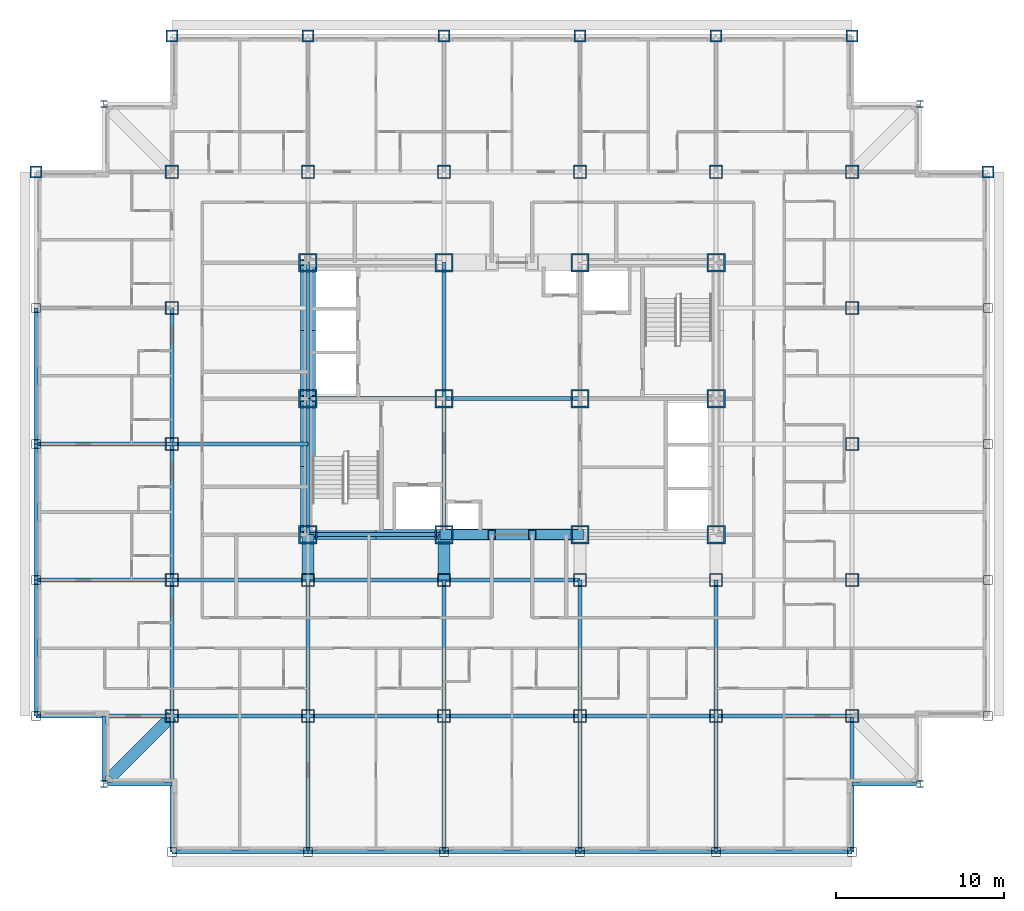
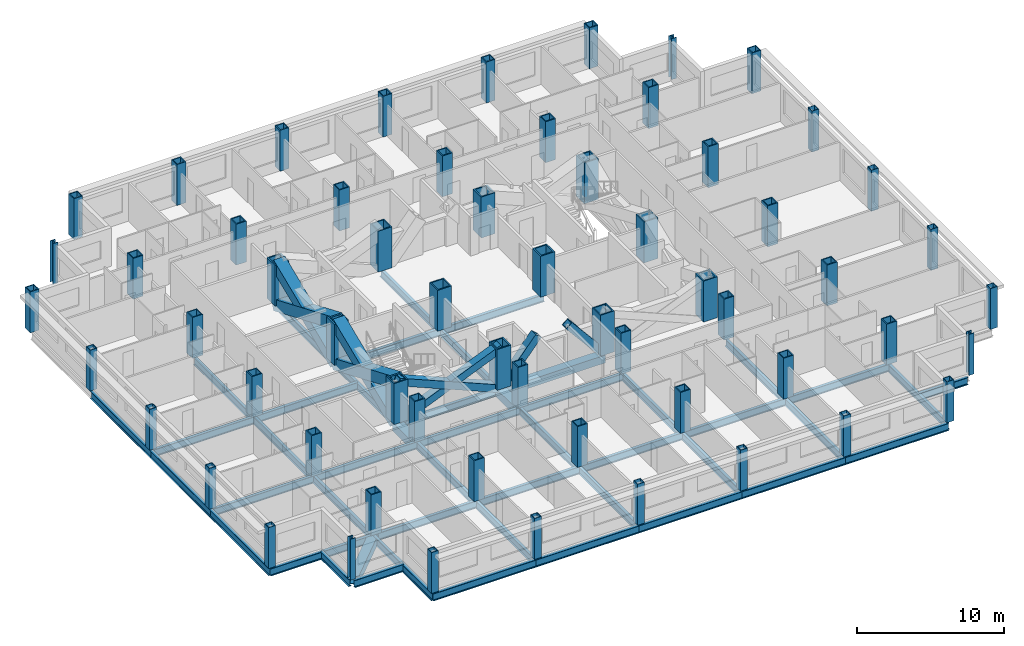
# One storey, part 1 of 13: 60 columns, 47 beams, 8 members.
"""IFC4 building model written with IfcOpenShell, lengths in metres."""

from ifc_helpers import new_model, si_unit, direction, frame, origin, origin_2d, place, context, subcontext, project, spatial, hollow_rectangle, i_section, extrude, material, material_profile, profile_set, type_object, element, save


model = new_model("IFC4")

# Units and contexts
model_context = context("Model", 3, precision=1e-05, world=origin(), true_north=direction((0.0, 1.0)))
body_context = subcontext(model_context, "Body", "Model", "MODEL_VIEW")
ifc_project = project(units=[si_unit("LENGTHUNIT", "METRE"), si_unit("AREAUNIT", "SQUARE_METRE"), si_unit("VOLUMEUNIT", "CUBIC_METRE"), si_unit("PLANEANGLEUNIT", "RADIAN"), si_unit("MASSUNIT", "GRAM", prefix="KILO")], contexts=[model_context])

# Site, building, storey
site_placement = place(None, origin())
site = spatial("IfcSite", under=ifc_project, at=site_placement, CompositionType="ELEMENT")
building_placement = place(site_placement, origin())
building = spatial("IfcBuilding", under=site, at=building_placement, Name="Kopane Lantern Tower", CompositionType="ELEMENT")
storey_placement = place(building_placement, frame((0.0, 0.0, 134.0)))
storey = spatial("IfcBuildingStorey", under=building, at=storey_placement, Name="L34", CompositionType="ELEMENT", Elevation=134.0)

# Columns
ifc_material_1 = material(Name="Steel S355JR", Category="steel")
ifc_material_profile_1 = material_profile(ifc_material_1, hollow_rectangle(XDim=1.10009765625, YDim=1.10009765625, WallThickness=0.10009765625, at=origin_2d()), Name="BOX 1100x1100x100")
ifc_profile_set_1 = profile_set([ifc_material_profile_1], Name="Steel S355JR")
column_type_1 = type_object("IfcColumnType", Name="COLUMN BOX 1100x1100x100", PredefinedType="COLUMN", material=ifc_profile_set_1)
for number, where, z_axis, x_axis, name in (
    (1, (16.199951171875, 24.300048828125, 0.0), (0.0, 0.0, 1.0), (1.0, 0.0, 0.0), "Column 4/E L34"),
    (2, (16.199951171875, 32.39990234375, 0.0), (0.0, 0.0, 1.0), (1.0, 0.0, 0.0), "Column 4/F L34"),
    (3, (16.199951171875, 40.5, 0.0), (0.0, 0.0, 1.0), (1.0, 0.0, 0.0), "Column 4/G L34"),
    (4, (24.300048828125, 24.300048828125, 0.0), (0.0, 0.0, 1.0), (1.0, 0.0, 0.0), "Column 5/E L34"),
    (5, (24.300048828125, 32.39990234375, 0.0), (0.0, 0.0, 1.0), (1.0, 0.0, 0.0), "Column 5/F L34"),
    (6, (24.300048828125, 40.5, 0.0), (0.0, 0.0, 1.0), (1.0, 0.0, 0.0), "Column 5/G L34"),
    (7, (32.39990234375, 24.300048828125, 0.0), (0.0, 0.0, 1.0), (1.0, 0.0, 0.0), "Column 6/E L34"),
    (8, (32.39990234375, 32.39990234375, 0.0), (0.0, 0.0, 1.0), (1.0, 0.0, 0.0), "Column 6/F L34"),
    (9, (32.39990234375, 40.5, 0.0), (0.0, 0.0, 1.0), (1.0, 0.0, 0.0), "Column 6/G L34"),
    (10, (40.5, 24.300048828125, 0.0), (0.0, 0.0, 1.0), (1.0, 0.0, 0.0), "Column 7/E L34"),
    (11, (40.5, 32.39990234375, 0.0), (0.0, 0.0, 1.0), (1.0, 0.0, 0.0), "Column 7/F L34"),
    (12, (40.5, 40.5, 0.0), (0.0, 0.0, 1.0), (1.0, 0.0, 0.0), "Column 7/G L34"),
):
    element("IfcColumn", number, at=place(storey_placement, frame(where, z_axis=z_axis, x_axis=x_axis)), inside=storey, type_object=column_type_1, Name=name, PredefinedType="COLUMN", context=body_context, shape_type="SweptSolid", body=[
        extrude(hollow_rectangle(XDim=1.10009765625, YDim=1.10009765625, WallThickness=0.10009765625, at=origin_2d()), origin(), (0.0, 0.0, 1.0), 3.39990234375),
    ])
ifc_material_2 = material(Name="Steel S355JR", Category="steel")
ifc_material_profile_2 = material_profile(ifc_material_2, hollow_rectangle(XDim=0.550048828125, YDim=0.550048828125, WallThickness=0.0400390625, at=origin_2d()), Name="BOX 550x550x40")
ifc_profile_set_2 = profile_set([ifc_material_profile_2], Name="Steel S355JR")
column_type_2 = type_object("IfcColumnType", Name="COLUMN BOX 550x550x40", PredefinedType="COLUMN", material=ifc_profile_set_2)
for number, where, z_axis, x_axis, name in (
    (13, (0.0, 13.5, 0.0), (0.0, 0.0, 1.0), (1.0, 0.0, 0.0), "Column 2/P2 L34"),
    (14, (0.0, 21.60009765625, 0.0), (0.0, 0.0, 1.0), (1.0, 0.0, 0.0), "Column 2/P3 L34"),
    (15, (0.0, 29.699951171875, 0.0), (0.0, 0.0, 1.0), (1.0, 0.0, 0.0), "Column 2/P4 L34"),
    (16, (0.0, 37.800048828125, 0.0), (0.0, 0.0, 1.0), (1.0, 0.0, 0.0), "Column 2/P5 L34"),
    (17, (8.10009765625, 5.39990234375, 0.0), (0.0, 0.0, 1.0), (1.0, 0.0, 0.0), "Column 3/P1 L34"),
    (18, (16.199951171875, 5.39990234375, 0.0), (0.0, 0.0, 1.0), (1.0, 0.0, 0.0), "Column 4/P1 L34"),
    (19, (24.300048828125, 5.39990234375, 0.0), (0.0, 0.0, 1.0), (1.0, 0.0, 0.0), "Column 5/P1 L34"),
    (20, (32.39990234375, 5.39990234375, 0.0), (0.0, 0.0, 1.0), (1.0, 0.0, 0.0), "Column 6/P1 L34"),
    (21, (40.5, 5.39990234375, 0.0), (0.0, 0.0, 1.0), (1.0, 0.0, 0.0), "Column 7/P1 L34"),
    (22, (48.60009765625, 5.39990234375, 0.0), (0.0, 0.0, 1.0), (1.0, 0.0, 0.0), "Column 8/P1 L34"),
    (23, (56.699951171875, 13.5, 0.0), (0.0, 0.0, 1.0), (1.0, 0.0, 0.0), "Column 9/P2 L34"),
    (24, (56.699951171875, 21.60009765625, 0.0), (0.0, 0.0, 1.0), (1.0, 0.0, 0.0), "Column 9/P3 L34"),
    (25, (56.699951171875, 29.699951171875, 0.0), (0.0, 0.0, 1.0), (1.0, 0.0, 0.0), "Column 9/P4 L34"),
    (26, (56.699951171875, 37.800048828125, 0.0), (0.0, 0.0, 1.0), (1.0, 0.0, 0.0), "Column 9/P5 L34"),
):
    element("IfcColumn", number, at=place(storey_placement, frame(where, z_axis=z_axis, x_axis=x_axis)), inside=storey, type_object=column_type_2, Name=name, PredefinedType="COLUMN", context=body_context, shape_type="SweptSolid", body=[
        extrude(hollow_rectangle(XDim=0.550048828125, YDim=0.550048828125, WallThickness=0.0400390625, at=origin_2d()), origin(), (0.0, 0.0, 1.0), 3.39990234375),
    ])
ifc_material_3 = material(Name="Steel S355JR", Category="steel")
ifc_material_profile_3 = material_profile(ifc_material_3, hollow_rectangle(XDim=0.699951171875, YDim=0.699951171875, WallThickness=0.070068359375, at=origin_2d()), Name="BOX 700x700x70")
ifc_profile_set_3 = profile_set([ifc_material_profile_3], Name="Steel S355JR")
column_type_3 = type_object("IfcColumnType", Name="COLUMN BOX 700x700x70", PredefinedType="COLUMN", material=ifc_profile_set_3)
for number, where, z_axis, x_axis, name in (
    (27, (0.0, 45.89990234375, 0.0), (0.0, 0.0, 1.0), (1.0, 0.0, 0.0), "Column 2/P6 L34"),
    (28, (8.10009765625, 54.0, 0.0), (0.0, 0.0, 1.0), (1.0, 0.0, 0.0), "Column 3/P7 L34"),
    (29, (16.199951171875, 54.0, 0.0), (0.0, 0.0, 1.0), (1.0, 0.0, 0.0), "Column 4/P7 L34"),
    (30, (24.300048828125, 54.0, 0.0), (0.0, 0.0, 1.0), (1.0, 0.0, 0.0), "Column 5/P7 L34"),
    (31, (32.39990234375, 54.0, 0.0), (0.0, 0.0, 1.0), (1.0, 0.0, 0.0), "Column 6/P7 L34"),
    (32, (40.5, 54.0, 0.0), (0.0, 0.0, 1.0), (1.0, 0.0, 0.0), "Column 7/P7 L34"),
    (33, (48.60009765625, 54.0, 0.0), (0.0, 0.0, 1.0), (1.0, 0.0, 0.0), "Column 8/P7 L34"),
    (34, (56.699951171875, 45.89990234375, 0.0), (0.0, 0.0, 1.0), (1.0, 0.0, 0.0), "Column 9/P6 L34"),
):
    element("IfcColumn", number, at=place(storey_placement, frame(where, z_axis=z_axis, x_axis=x_axis)), inside=storey, type_object=column_type_3, Name=name, PredefinedType="COLUMN", context=body_context, shape_type="SweptSolid", body=[
        extrude(hollow_rectangle(XDim=0.699951171875, YDim=0.699951171875, WallThickness=0.070068359375, at=origin_2d()), origin(), (0.0, 0.0, 1.0), 3.39990234375),
    ])
ifc_material_4 = material(Name="Steel S355JR", Category="steel")
ifc_material_profile_4 = material_profile(ifc_material_4, hollow_rectangle(XDim=0.800048828125, YDim=0.800048828125, WallThickness=0.080078125, at=origin_2d()), Name="BOX 800x800x80")
ifc_profile_set_4 = profile_set([ifc_material_profile_4], Name="Steel S355JR")
column_type_4 = type_object("IfcColumnType", Name="COLUMN BOX 800x800x80", PredefinedType="COLUMN", material=ifc_profile_set_4)
for number, where, z_axis, x_axis, name in (
    (35, (8.10009765625, 13.5, 0.0), (0.0, 0.0, 1.0), (1.0, 0.0, 0.0), "Column 3/P2 L34"),
    (36, (8.10009765625, 21.60009765625, 0.0), (0.0, 0.0, 1.0), (1.0, 0.0, 0.0), "Column 3/P3 L34"),
    (37, (8.10009765625, 29.699951171875, 0.0), (0.0, 0.0, 1.0), (1.0, 0.0, 0.0), "Column 3/P4 L34"),
    (38, (8.10009765625, 37.800048828125, 0.0), (0.0, 0.0, 1.0), (1.0, 0.0, 0.0), "Column 3/P5 L34"),
    (39, (8.10009765625, 45.89990234375, 0.0), (0.0, 0.0, 1.0), (1.0, 0.0, 0.0), "Column 3/P6 L34"),
    (40, (16.199951171875, 13.5, 0.0), (0.0, 0.0, 1.0), (1.0, 0.0, 0.0), "Column 4/P2 L34"),
    (41, (16.199951171875, 21.60009765625, 0.0), (0.0, 0.0, 1.0), (1.0, 0.0, 0.0), "Column 4/P3 L34"),
    (42, (16.199951171875, 45.89990234375, 0.0), (0.0, 0.0, 1.0), (1.0, 0.0, 0.0), "Column 4/P6 L34"),
    (43, (24.300048828125, 13.5, 0.0), (0.0, 0.0, 1.0), (1.0, 0.0, 0.0), "Column 5/P2 L34"),
    (44, (24.300048828125, 21.60009765625, 0.0), (0.0, 0.0, 1.0), (1.0, 0.0, 0.0), "Column 5/P3 L34"),
    (45, (24.300048828125, 45.89990234375, 0.0), (0.0, 0.0, 1.0), (1.0, 0.0, 0.0), "Column 5/P6 L34"),
    (46, (32.39990234375, 13.5, 0.0), (0.0, 0.0, 1.0), (1.0, 0.0, 0.0), "Column 6/P2 L34"),
    (47, (32.39990234375, 21.60009765625, 0.0), (0.0, 0.0, 1.0), (1.0, 0.0, 0.0), "Column 6/P3 L34"),
    (48, (32.39990234375, 45.89990234375, 0.0), (0.0, 0.0, 1.0), (1.0, 0.0, 0.0), "Column 6/P6 L34"),
    (49, (40.5, 13.5, 0.0), (0.0, 0.0, 1.0), (1.0, 0.0, 0.0), "Column 7/P2 L34"),
    (50, (40.5, 21.60009765625, 0.0), (0.0, 0.0, 1.0), (1.0, 0.0, 0.0), "Column 7/P3 L34"),
    (51, (40.5, 45.89990234375, 0.0), (0.0, 0.0, 1.0), (1.0, 0.0, 0.0), "Column 7/P6 L34"),
    (52, (48.60009765625, 13.5, 0.0), (0.0, 0.0, 1.0), (1.0, 0.0, 0.0), "Column 8/P2 L34"),
    (53, (48.60009765625, 21.60009765625, 0.0), (0.0, 0.0, 1.0), (1.0, 0.0, 0.0), "Column 8/P3 L34"),
    (54, (48.60009765625, 29.699951171875, 0.0), (0.0, 0.0, 1.0), (1.0, 0.0, 0.0), "Column 8/P4 L34"),
    (55, (48.60009765625, 37.800048828125, 0.0), (0.0, 0.0, 1.0), (1.0, 0.0, 0.0), "Column 8/P5 L34"),
    (56, (48.60009765625, 45.89990234375, 0.0), (0.0, 0.0, 1.0), (1.0, 0.0, 0.0), "Column 8/P6 L34"),
):
    element("IfcColumn", number, at=place(storey_placement, frame(where, z_axis=z_axis, x_axis=x_axis)), inside=storey, type_object=column_type_4, Name=name, PredefinedType="COLUMN", context=body_context, shape_type="SweptSolid", body=[
        extrude(hollow_rectangle(XDim=0.800048828125, YDim=0.800048828125, WallThickness=0.080078125, at=origin_2d()), origin(), (0.0, 0.0, 1.0), 3.39990234375),
    ])
ifc_material_5 = material(Name="Steel S355JR", Category="steel")
ifc_material_profile_5 = material_profile(ifc_material_5, i_section(OverallWidth=0.406982421875, OverallDepth=0.4189453125, WebThickness=0.030517578125, FlangeThickness=0.04931640625, FilletRadius=0.01513671875, at=origin_2d()), Name="UC 356x406x393")
ifc_profile_set_5 = profile_set([ifc_material_profile_5], Name="Steel S355JR")
column_type_5 = type_object("IfcColumnType", Name="COLUMN UC 356x406x393", PredefinedType="COLUMN", material=ifc_profile_set_5)
for number, where, z_axis, x_axis, name in (
    (57, (4.050048828125, 9.449951171875, 0.0), (0.0, 0.0, 1.0), (1.0, 0.0, 0.0), "Column 4.05/9.45 L34"),
    (58, (4.050048828125, 49.949951171875, 0.0), (0.0, 0.0, 1.0), (1.0, 0.0, 0.0), "Column 4.05/49.95 L34"),
    (59, (52.64990234375, 9.449951171875, 0.0), (0.0, 0.0, 1.0), (1.0, 0.0, 0.0), "Column 52.65/9.45 L34"),
    (60, (52.64990234375, 49.949951171875, 0.0), (0.0, 0.0, 1.0), (1.0, 0.0, 0.0), "Column 52.65/49.95 L34"),
):
    element("IfcColumn", number, at=place(storey_placement, frame(where, z_axis=z_axis, x_axis=x_axis)), inside=storey, type_object=column_type_5, Name=name, PredefinedType="COLUMN", context=body_context, shape_type="SweptSolid", body=[
        extrude(i_section(OverallWidth=0.406982421875, OverallDepth=0.4189453125, WebThickness=0.030517578125, FlangeThickness=0.04931640625, FilletRadius=0.01513671875, at=origin_2d()), origin(), (0.0, 0.0, 1.0), 3.39990234375),
    ])

# Members
ifc_material_6 = material(Name="Steel S355JR", Category="steel")
ifc_material_profile_6 = material_profile(ifc_material_6, hollow_rectangle(XDim=0.60009765625, YDim=0.60009765625, WallThickness=0.050048828125, at=origin_2d()), Name="BOX 600x600x50")
ifc_profile_set_6 = profile_set([ifc_material_profile_6], Name="Steel S355JR")
member_type_1 = type_object("IfcMemberType", Name="BRACE BOX 600x600x50", PredefinedType="BRACE", material=ifc_profile_set_6)
for number, where, z_axis, x_axis, name in (
    (61, (16.199951171875, 24.300048828125, -0.2099609375), (0.922069000757, 0.0, 0.387025526088), (0.0, 1.0, 0.0), "Core brace L34"),
    (62, (24.300048828125, 24.300048828125, -0.2099609375), (-0.922069000757, 0.0, 0.387025526088), (0.0, -1.0, 0.0), "Core brace L34"),
):
    element("IfcMember", number, at=place(storey_placement, frame(where, z_axis=z_axis, x_axis=x_axis)), inside=storey, type_object=member_type_1, Name=name, PredefinedType="BRACE", context=body_context, shape_type="SweptSolid", body=[
        extrude(hollow_rectangle(XDim=0.60009765625, YDim=0.60009765625, WallThickness=0.050048828125, at=origin_2d()), origin(), (0.0, 0.0, 1.0), 8.78466796875),
    ])
for number, where, z_axis, x_axis, name in (
    (63, (24.300048828125, 24.300048828125, -0.2099609375), (0.642390257445, 0.0, 0.7663776857), (0.0, 1.0, 0.0), "Core brace L34"),
    (64, (32.39990234375, 24.300048828125, -0.2099609375), (-0.642390257445, 0.0, 0.7663776857), (0.0, -1.0, 0.0), "Core brace L34"),
):
    element("IfcMember", number, at=place(storey_placement, frame(where, z_axis=z_axis, x_axis=x_axis)), inside=storey, type_object=member_type_1, Name=name, PredefinedType="BRACE", context=body_context, shape_type="SweptSolid", body=[
        extrude(hollow_rectangle(XDim=0.60009765625, YDim=0.60009765625, WallThickness=0.050048828125, at=origin_2d()), origin(), (0.0, 0.0, 1.0), 4.436279296875),
    ])
ifc_material_7 = material(Name="Steel S355JR", Category="steel")
ifc_material_profile_7 = material_profile(ifc_material_7, hollow_rectangle(XDim=0.89990234375, YDim=0.89990234375, WallThickness=0.090087890625, at=origin_2d()), Name="BOX 900x900x90")
ifc_profile_set_7 = profile_set([ifc_material_profile_7], Name="Steel S355JR")
member_type_2 = type_object("IfcMemberType", Name="BRACE BOX 900x900x90", PredefinedType="BRACE", material=ifc_profile_set_7)
for number, where, z_axis, x_axis, name in (
    (65, (16.199951171875, 24.300048828125, -0.2099609375), (0.0, 0.922064837731, 0.38703544414), (-1.0, 0.0, 0.0), "Core brace L34"),
    (66, (16.199951171875, 32.39990234375, -0.2099609375), (0.0, -0.922064837731, 0.38703544414), (1.0, 0.0, 0.0), "Core brace L34"),
):
    element("IfcMember", number, at=place(storey_placement, frame(where, z_axis=z_axis, x_axis=x_axis)), inside=storey, type_object=member_type_2, Name=name, PredefinedType="BRACE", context=body_context, shape_type="SweptSolid", body=[
        extrude(hollow_rectangle(XDim=0.89990234375, YDim=0.89990234375, WallThickness=0.090087890625, at=origin_2d()), origin(), (0.0, 0.0, 1.0), 8.784423828125),
    ])
for number, where, z_axis, x_axis, name in (
    (67, (16.199951171875, 32.39990234375, -0.2099609375), (0.0, 0.922069000757, 0.387025526088), (-1.0, 0.0, 0.0), "Core brace L34"),
    (68, (16.199951171875, 40.5, -0.2099609375), (0.0, -0.922069000757, 0.387025526088), (1.0, 0.0, 0.0), "Core brace L34"),
):
    element("IfcMember", number, at=place(storey_placement, frame(where, z_axis=z_axis, x_axis=x_axis)), inside=storey, type_object=member_type_2, Name=name, PredefinedType="BRACE", context=body_context, shape_type="SweptSolid", body=[
        extrude(hollow_rectangle(XDim=0.89990234375, YDim=0.89990234375, WallThickness=0.090087890625, at=origin_2d()), origin(), (0.0, 0.0, 1.0), 8.78466796875),
    ])

# Beams
ifc_material_8 = material(Name="Steel S355JR", Category="steel")
ifc_material_profile_8 = material_profile(ifc_material_8, i_section(OverallWidth=0.22900390625, OverallDepth=0.6123046875, WebThickness=0.011962890625, FlangeThickness=0.01953125, FilletRadius=0.0126953125, at=origin_2d()), Name="UB 610x229x125")
ifc_profile_set_8 = profile_set([ifc_material_profile_8], Name="Steel S355JR")
beam_type_1 = type_object("IfcBeamType", Name="CORE BEAM UB 610x229x125", PredefinedType="BEAM", material=ifc_profile_set_8)
beam_1_placement = place(storey_placement, frame((16.199951171875, 32.39990234375, -0.51611328125), z_axis=(1.0, 0.0, 0.0), x_axis=(0.0, 1.0, 0.0)))
element("IfcBeam", 69, at=beam_1_placement, inside=storey, type_object=beam_type_1, Name="Core Beam L34", PredefinedType="BEAM", context=body_context, shape_type="SweptSolid", body=[
    extrude(i_section(OverallWidth=0.22900390625, OverallDepth=0.6123046875, WebThickness=0.011962890625, FlangeThickness=0.01953125, FilletRadius=0.0126953125, at=origin_2d()), origin(), (0.0, 0.0, 1.0), 8.10009765625),
])
beam_2_placement = place(storey_placement, frame((24.300048828125, 24.300048828125, -0.51611328125), z_axis=(0.0, 1.0, 0.0), x_axis=(-1.0, 0.0, 0.0)))
element("IfcBeam", 70, at=beam_2_placement, inside=storey, type_object=beam_type_1, Name="Core Beam L34", PredefinedType="BEAM", context=body_context, shape_type="SweptSolid", body=[
    extrude(i_section(OverallWidth=0.22900390625, OverallDepth=0.6123046875, WebThickness=0.011962890625, FlangeThickness=0.01953125, FilletRadius=0.0126953125, at=origin_2d()), origin(), (0.0, 0.0, 1.0), 8.099853515625),
])
beam_3_placement = place(storey_placement, frame((24.300048828125, 32.39990234375, -0.51611328125), z_axis=(0.0, 1.0, 0.0), x_axis=(-1.0, 0.0, 0.0)))
element("IfcBeam", 71, at=beam_3_placement, inside=storey, type_object=beam_type_1, Name="Core Beam L34", PredefinedType="BEAM", context=body_context, shape_type="SweptSolid", body=[
    extrude(i_section(OverallWidth=0.22900390625, OverallDepth=0.6123046875, WebThickness=0.011962890625, FlangeThickness=0.01953125, FilletRadius=0.0126953125, at=origin_2d()), origin(), (0.0, 0.0, 1.0), 8.10009765625),
])
beam_4_placement = place(storey_placement, frame((24.300048828125, 32.39990234375, -0.51611328125), z_axis=(1.0, 0.0, 0.0), x_axis=(0.0, 1.0, 0.0)))
element("IfcBeam", 72, at=beam_4_placement, inside=storey, type_object=beam_type_1, Name="Core Beam L34", PredefinedType="BEAM", context=body_context, shape_type="SweptSolid", body=[
    extrude(i_section(OverallWidth=0.22900390625, OverallDepth=0.6123046875, WebThickness=0.011962890625, FlangeThickness=0.01953125, FilletRadius=0.0126953125, at=origin_2d()), origin(), (0.0, 0.0, 1.0), 8.099853515625),
])
ifc_material_9 = material(Name="Steel S355JR", Category="steel")
ifc_material_profile_9 = material_profile(ifc_material_9, hollow_rectangle(XDim=0.699951171875, YDim=0.699951171875, WallThickness=0.06005859375, at=origin_2d()), Name="BOX 700x700x60")
ifc_profile_set_9 = profile_set([ifc_material_profile_9], Name="Steel S355JR")
beam_type_2 = type_object("IfcBeamType", Name="CORNER TIE BEAM BOX 700x700x60", PredefinedType="BEAM", material=ifc_profile_set_9)
beam_5_placement = place(storey_placement, frame((4.447509765625, 9.847412109375, -0.56005859375), z_axis=(0.707106781187, 0.707106781187, 0.0), x_axis=(-0.707106781187, 0.707106781187, 0.0)))
element("IfcBeam", 73, at=beam_5_placement, inside=storey, type_object=beam_type_2, Name="Corner Tie Beam L34", PredefinedType="BEAM", context=body_context, shape_type="SweptSolid", body=[
    extrude(hollow_rectangle(XDim=0.699951171875, YDim=0.699951171875, WallThickness=0.06005859375, at=origin_2d()), origin(), (0.0, 0.0, 1.0), 5.16552734375),
])
ifc_material_10 = material(Name="Steel S355JR", Category="steel")
ifc_material_profile_10 = material_profile(ifc_material_10, i_section(OverallWidth=0.22900390625, OverallDepth=0.6123046875, WebThickness=0.011962890625, FlangeThickness=0.01953125, FilletRadius=0.0126953125, at=origin_2d()), Name="UB 610x229x125")
ifc_profile_set_10 = profile_set([ifc_material_profile_10], Name="Steel S355JR")
beam_type_3 = type_object("IfcBeamType", Name="EDGE BEAM UB 610x229x125", PredefinedType="BEAM", material=ifc_profile_set_10)
beam_6_placement = place(storey_placement, frame((4.050048828125, 9.653564453125, -0.51611328125), z_axis=(0.0, 1.0, 0.0), x_axis=(-1.0, 0.0, 0.0)))
element("IfcBeam", 74, at=beam_6_placement, inside=storey, type_object=beam_type_3, Name="Edge Beam L34", PredefinedType="BEAM", context=body_context, shape_type="SweptSolid", body=[
    extrude(i_section(OverallWidth=0.22900390625, OverallDepth=0.6123046875, WebThickness=0.011962890625, FlangeThickness=0.01953125, FilletRadius=0.0126953125, at=origin_2d()), origin(), (0.0, 0.0, 1.0), 3.846435546875),
])
beam_7_placement = place(storey_placement, frame((4.25341796875, 9.449951171875, -0.51611328125), z_axis=(1.0, 0.0, 0.0), x_axis=(0.0, 1.0, 0.0)))
element("IfcBeam", 75, at=beam_7_placement, inside=storey, type_object=beam_type_3, Name="Edge Beam L34", PredefinedType="BEAM", context=body_context, shape_type="SweptSolid", body=[
    extrude(i_section(OverallWidth=0.22900390625, OverallDepth=0.6123046875, WebThickness=0.011962890625, FlangeThickness=0.01953125, FilletRadius=0.0126953125, at=origin_2d()), origin(), (0.0, 0.0, 1.0), 3.8466796875),
])
beam_8_placement = place(storey_placement, frame((52.446533203125, 9.449951171875, -0.51611328125), z_axis=(-1.0, 0.0, 0.0), x_axis=(0.0, -1.0, 0.0)))
element("IfcBeam", 76, at=beam_8_placement, inside=storey, type_object=beam_type_3, Name="Edge Beam L34", PredefinedType="BEAM", context=body_context, shape_type="SweptSolid", body=[
    extrude(i_section(OverallWidth=0.22900390625, OverallDepth=0.6123046875, WebThickness=0.011962890625, FlangeThickness=0.01953125, FilletRadius=0.0126953125, at=origin_2d()), origin(), (0.0, 0.0, 1.0), 3.846435546875),
])
ifc_material_11 = material(Name="Steel S355JR", Category="steel")
ifc_material_profile_11 = material_profile(ifc_material_11, hollow_rectangle(XDim=0.699951171875, YDim=0.699951171875, WallThickness=0.06005859375, at=origin_2d()), Name="BOX 700x700x60")
ifc_profile_set_11 = profile_set([ifc_material_profile_11], Name="Steel S355JR")
beam_type_4 = type_object("IfcBeamType", Name="GIRDER BOX 700x700x60", PredefinedType="BEAM", material=ifc_profile_set_11)
for number, where, z_axis, x_axis, name in (
    (77, (16.199951171875, 21.60009765625, -0.56005859375), (0.0, 1.0, 0.0), (-1.0, 0.0, 0.0), "Girder L34"),
    (78, (24.300048828125, 21.60009765625, -0.56005859375), (0.0, 1.0, 0.0), (-1.0, 0.0, 0.0), "Girder L34"),
):
    element("IfcBeam", number, at=place(storey_placement, frame(where, z_axis=z_axis, x_axis=x_axis)), inside=storey, type_object=beam_type_4, Name=name, PredefinedType="BEAM", context=body_context, shape_type="SweptSolid", body=[
        extrude(hollow_rectangle(XDim=0.699951171875, YDim=0.699951171875, WallThickness=0.06005859375, at=origin_2d()), origin(), (0.0, 0.0, 1.0), 2.699951171875),
    ])
ifc_material_12 = material(Name="Steel S355JR", Category="steel")
ifc_material_profile_12 = material_profile(ifc_material_12, i_section(OverallWidth=0.22900390625, OverallDepth=0.6123046875, WebThickness=0.011962890625, FlangeThickness=0.01953125, FilletRadius=0.0126953125, at=origin_2d()), Name="UB 610x229x125")
ifc_profile_set_12 = profile_set([ifc_material_profile_12], Name="Steel S355JR")
beam_type_5 = type_object("IfcBeamType", Name="GIRDER UB 610x229x125", PredefinedType="BEAM", material=ifc_profile_set_12)
for number, where, z_axis, x_axis, name in (
    (79, (0.0, 13.5, -0.51611328125), (0.0, 1.0, 0.0), (-1.0, 0.0, 0.0), "Girder L34"),
    (80, (0.0, 13.5, -0.51611328125), (1.0, 0.0, 0.0), (0.0, 1.0, 0.0), "Girder L34"),
):
    element("IfcBeam", number, at=place(storey_placement, frame(where, z_axis=z_axis, x_axis=x_axis)), inside=storey, type_object=beam_type_5, Name=name, PredefinedType="BEAM", context=body_context, shape_type="SweptSolid", body=[
        extrude(i_section(OverallWidth=0.22900390625, OverallDepth=0.6123046875, WebThickness=0.011962890625, FlangeThickness=0.01953125, FilletRadius=0.0126953125, at=origin_2d()), origin(), (0.0, 0.0, 1.0), 8.10009765625),
    ])
beam_9_placement = place(storey_placement, frame((0.0, 21.60009765625, -0.51611328125), z_axis=(0.0, 1.0, 0.0), x_axis=(-1.0, 0.0, 0.0)))
element("IfcBeam", 81, at=beam_9_placement, inside=storey, type_object=beam_type_5, Name="Girder L34", PredefinedType="BEAM", context=body_context, shape_type="SweptSolid", body=[
    extrude(i_section(OverallWidth=0.22900390625, OverallDepth=0.6123046875, WebThickness=0.011962890625, FlangeThickness=0.01953125, FilletRadius=0.0126953125, at=origin_2d()), origin(), (0.0, 0.0, 1.0), 8.099853515625),
])
for number, where, z_axis, x_axis, name in (
    (82, (0.0, 21.60009765625, -0.51611328125), (1.0, 0.0, 0.0), (0.0, 1.0, 0.0), "Girder L34"),
    (83, (0.0, 29.699951171875, -0.51611328125), (0.0, 1.0, 0.0), (-1.0, 0.0, 0.0), "Girder L34"),
    (84, (0.0, 29.699951171875, -0.51611328125), (1.0, 0.0, 0.0), (0.0, 1.0, 0.0), "Girder L34"),
    (85, (8.10009765625, 5.39990234375, -0.51611328125), (0.0, 1.0, 0.0), (-1.0, 0.0, 0.0), "Girder L34"),
):
    element("IfcBeam", number, at=place(storey_placement, frame(where, z_axis=z_axis, x_axis=x_axis)), inside=storey, type_object=beam_type_5, Name=name, PredefinedType="BEAM", context=body_context, shape_type="SweptSolid", body=[
        extrude(i_section(OverallWidth=0.22900390625, OverallDepth=0.6123046875, WebThickness=0.011962890625, FlangeThickness=0.01953125, FilletRadius=0.0126953125, at=origin_2d()), origin(), (0.0, 0.0, 1.0), 8.10009765625),
    ])
beam_10_placement = place(storey_placement, frame((8.10009765625, 5.39990234375, -0.51611328125), z_axis=(1.0, 0.0, 0.0), x_axis=(0.0, 1.0, 0.0)))
element("IfcBeam", 86, at=beam_10_placement, inside=storey, type_object=beam_type_5, Name="Girder L34", PredefinedType="BEAM", context=body_context, shape_type="SweptSolid", body=[
    extrude(i_section(OverallWidth=0.22900390625, OverallDepth=0.6123046875, WebThickness=0.011962890625, FlangeThickness=0.01953125, FilletRadius=0.0126953125, at=origin_2d()), origin(), (0.0, 0.0, 1.0), 8.099853515625),
])
beam_11_placement = place(storey_placement, frame((8.10009765625, 13.5, -0.51611328125), z_axis=(0.0, 1.0, 0.0), x_axis=(-1.0, 0.0, 0.0)))
element("IfcBeam", 87, at=beam_11_placement, inside=storey, type_object=beam_type_5, Name="Girder L34", PredefinedType="BEAM", context=body_context, shape_type="SweptSolid", body=[
    extrude(i_section(OverallWidth=0.22900390625, OverallDepth=0.6123046875, WebThickness=0.011962890625, FlangeThickness=0.01953125, FilletRadius=0.0126953125, at=origin_2d()), origin(), (0.0, 0.0, 1.0), 8.10009765625),
])
for number, where, z_axis, x_axis, name in (
    (88, (8.10009765625, 13.5, -0.51611328125), (1.0, 0.0, 0.0), (0.0, 1.0, 0.0), "Girder L34"),
    (89, (8.10009765625, 21.60009765625, -0.51611328125), (0.0, 1.0, 0.0), (-1.0, 0.0, 0.0), "Girder L34"),
    (90, (8.10009765625, 21.60009765625, -0.51611328125), (1.0, 0.0, 0.0), (0.0, 1.0, 0.0), "Girder L34"),
):
    element("IfcBeam", number, at=place(storey_placement, frame(where, z_axis=z_axis, x_axis=x_axis)), inside=storey, type_object=beam_type_5, Name=name, PredefinedType="BEAM", context=body_context, shape_type="SweptSolid", body=[
        extrude(i_section(OverallWidth=0.22900390625, OverallDepth=0.6123046875, WebThickness=0.011962890625, FlangeThickness=0.01953125, FilletRadius=0.0126953125, at=origin_2d()), origin(), (0.0, 0.0, 1.0), 8.099853515625),
    ])
beam_12_placement = place(storey_placement, frame((8.10009765625, 29.699951171875, -0.51611328125), z_axis=(0.0, 1.0, 0.0), x_axis=(-1.0, 0.0, 0.0)))
element("IfcBeam", 91, at=beam_12_placement, inside=storey, type_object=beam_type_5, Name="Girder L34", PredefinedType="BEAM", context=body_context, shape_type="SweptSolid", body=[
    extrude(i_section(OverallWidth=0.22900390625, OverallDepth=0.6123046875, WebThickness=0.011962890625, FlangeThickness=0.01953125, FilletRadius=0.0126953125, at=origin_2d()), origin(), (0.0, 0.0, 1.0), 8.10009765625),
])
beam_13_placement = place(storey_placement, frame((8.10009765625, 29.699951171875, -0.51611328125), z_axis=(1.0, 0.0, 0.0), x_axis=(0.0, 1.0, 0.0)))
element("IfcBeam", 92, at=beam_13_placement, inside=storey, type_object=beam_type_5, Name="Girder L34", PredefinedType="BEAM", context=body_context, shape_type="SweptSolid", body=[
    extrude(i_section(OverallWidth=0.22900390625, OverallDepth=0.6123046875, WebThickness=0.011962890625, FlangeThickness=0.01953125, FilletRadius=0.0126953125, at=origin_2d()), origin(), (0.0, 0.0, 1.0), 8.099853515625),
])
for number, where, z_axis, x_axis, name in (
    (93, (16.199951171875, 5.39990234375, -0.51611328125), (0.0, 1.0, 0.0), (-1.0, 0.0, 0.0), "Girder L34"),
    (94, (16.199951171875, 5.39990234375, -0.51611328125), (1.0, 0.0, 0.0), (0.0, 1.0, 0.0), "Girder L34"),
    (95, (16.199951171875, 13.5, -0.51611328125), (0.0, 1.0, 0.0), (-1.0, 0.0, 0.0), "Girder L34"),
    (96, (16.199951171875, 13.5, -0.51611328125), (1.0, 0.0, 0.0), (0.0, 1.0, 0.0), "Girder L34"),
    (97, (16.199951171875, 21.60009765625, -0.51611328125), (1.0, 0.0, 0.0), (0.0, 1.0, 0.0), "Girder L34"),
):
    element("IfcBeam", number, at=place(storey_placement, frame(where, z_axis=z_axis, x_axis=x_axis)), inside=storey, type_object=beam_type_5, Name=name, PredefinedType="BEAM", context=body_context, shape_type="SweptSolid", body=[
        extrude(i_section(OverallWidth=0.22900390625, OverallDepth=0.6123046875, WebThickness=0.011962890625, FlangeThickness=0.01953125, FilletRadius=0.0126953125, at=origin_2d()), origin(), (0.0, 0.0, 1.0), 8.10009765625),
    ])
beam_14_placement = place(storey_placement, frame((16.199951171875, 24.300048828125, -0.51611328125), z_axis=(0.0, 1.0, 0.0), x_axis=(-1.0, 0.0, 0.0)))
element("IfcBeam", 98, at=beam_14_placement, inside=storey, type_object=beam_type_5, Name="Girder L34", PredefinedType="BEAM", context=body_context, shape_type="SweptSolid", body=[
    extrude(i_section(OverallWidth=0.22900390625, OverallDepth=0.6123046875, WebThickness=0.011962890625, FlangeThickness=0.01953125, FilletRadius=0.0126953125, at=origin_2d()), origin(), (0.0, 0.0, 1.0), 8.099853515625),
])
for number, where, z_axis, x_axis, name in (
    (99, (16.199951171875, 24.300048828125, -0.51611328125), (1.0, 0.0, 0.0), (0.0, 1.0, 0.0), "Girder L34"),
    (100, (16.199951171875, 32.39990234375, -0.51611328125), (0.0, 1.0, 0.0), (-1.0, 0.0, 0.0), "Girder L34"),
    (101, (24.300048828125, 5.39990234375, -0.51611328125), (0.0, 1.0, 0.0), (-1.0, 0.0, 0.0), "Girder L34"),
):
    element("IfcBeam", number, at=place(storey_placement, frame(where, z_axis=z_axis, x_axis=x_axis)), inside=storey, type_object=beam_type_5, Name=name, PredefinedType="BEAM", context=body_context, shape_type="SweptSolid", body=[
        extrude(i_section(OverallWidth=0.22900390625, OverallDepth=0.6123046875, WebThickness=0.011962890625, FlangeThickness=0.01953125, FilletRadius=0.0126953125, at=origin_2d()), origin(), (0.0, 0.0, 1.0), 8.10009765625),
    ])
beam_15_placement = place(storey_placement, frame((24.300048828125, 5.39990234375, -0.51611328125), z_axis=(1.0, 0.0, 0.0), x_axis=(0.0, 1.0, 0.0)))
element("IfcBeam", 102, at=beam_15_placement, inside=storey, type_object=beam_type_5, Name="Girder L34", PredefinedType="BEAM", context=body_context, shape_type="SweptSolid", body=[
    extrude(i_section(OverallWidth=0.22900390625, OverallDepth=0.6123046875, WebThickness=0.011962890625, FlangeThickness=0.01953125, FilletRadius=0.0126953125, at=origin_2d()), origin(), (0.0, 0.0, 1.0), 8.099853515625),
])
beam_16_placement = place(storey_placement, frame((24.300048828125, 13.5, -0.51611328125), z_axis=(0.0, 1.0, 0.0), x_axis=(-1.0, 0.0, 0.0)))
element("IfcBeam", 103, at=beam_16_placement, inside=storey, type_object=beam_type_5, Name="Girder L34", PredefinedType="BEAM", context=body_context, shape_type="SweptSolid", body=[
    extrude(i_section(OverallWidth=0.22900390625, OverallDepth=0.6123046875, WebThickness=0.011962890625, FlangeThickness=0.01953125, FilletRadius=0.0126953125, at=origin_2d()), origin(), (0.0, 0.0, 1.0), 8.10009765625),
])
for number, where, z_axis, x_axis, name in (
    (104, (24.300048828125, 13.5, -0.51611328125), (1.0, 0.0, 0.0), (0.0, 1.0, 0.0), "Girder L34"),
    (105, (24.300048828125, 21.60009765625, -0.51611328125), (1.0, 0.0, 0.0), (0.0, 1.0, 0.0), "Girder L34"),
):
    element("IfcBeam", number, at=place(storey_placement, frame(where, z_axis=z_axis, x_axis=x_axis)), inside=storey, type_object=beam_type_5, Name=name, PredefinedType="BEAM", context=body_context, shape_type="SweptSolid", body=[
        extrude(i_section(OverallWidth=0.22900390625, OverallDepth=0.6123046875, WebThickness=0.011962890625, FlangeThickness=0.01953125, FilletRadius=0.0126953125, at=origin_2d()), origin(), (0.0, 0.0, 1.0), 8.099853515625),
    ])
for number, where, z_axis, x_axis, name in (
    (106, (32.39990234375, 5.39990234375, -0.51611328125), (0.0, 1.0, 0.0), (-1.0, 0.0, 0.0), "Girder L34"),
    (107, (32.39990234375, 5.39990234375, -0.51611328125), (1.0, 0.0, 0.0), (0.0, 1.0, 0.0), "Girder L34"),
    (108, (32.39990234375, 13.5, -0.51611328125), (0.0, 1.0, 0.0), (-1.0, 0.0, 0.0), "Girder L34"),
    (109, (32.39990234375, 13.5, -0.51611328125), (1.0, 0.0, 0.0), (0.0, 1.0, 0.0), "Girder L34"),
    (110, (40.5, 5.39990234375, -0.51611328125), (0.0, 1.0, 0.0), (-1.0, 0.0, 0.0), "Girder L34"),
    (111, (40.5, 5.39990234375, -0.51611328125), (1.0, 0.0, 0.0), (0.0, 1.0, 0.0), "Girder L34"),
    (112, (40.5, 13.5, -0.51611328125), (0.0, 1.0, 0.0), (-1.0, 0.0, 0.0), "Girder L34"),
    (113, (40.5, 13.5, -0.51611328125), (1.0, 0.0, 0.0), (0.0, 1.0, 0.0), "Girder L34"),
    (114, (48.60009765625, 5.39990234375, -0.51611328125), (0.0, 1.0, 0.0), (-1.0, 0.0, 0.0), "Girder L34"),
):
    element("IfcBeam", number, at=place(storey_placement, frame(where, z_axis=z_axis, x_axis=x_axis)), inside=storey, type_object=beam_type_5, Name=name, PredefinedType="BEAM", context=body_context, shape_type="SweptSolid", body=[
        extrude(i_section(OverallWidth=0.22900390625, OverallDepth=0.6123046875, WebThickness=0.011962890625, FlangeThickness=0.01953125, FilletRadius=0.0126953125, at=origin_2d()), origin(), (0.0, 0.0, 1.0), 8.10009765625),
    ])
ifc_material_13 = material(Name="Steel S355JR", Category="steel")
ifc_material_profile_13 = material_profile(ifc_material_13, hollow_rectangle(XDim=0.64990234375, YDim=0.64990234375, WallThickness=0.070068359375, at=origin_2d()), Name="BOX 650x650x70")
ifc_profile_set_13 = profile_set([ifc_material_profile_13], Name="Steel S355JR")
beam_type_6 = type_object("IfcBeamType", Name="LINK BEAM BOX 650x650x70", PredefinedType="BEAM", material=ifc_profile_set_13)
beam_17_placement = place(storey_placement, frame((24.300048828125, 24.300048828125, -0.534912109375), z_axis=(1.0, 0.0, 0.0), x_axis=(0.0, 1.0, 0.0)))
element("IfcBeam", 115, at=beam_17_placement, inside=storey, type_object=beam_type_6, Name="Link Beam L34", PredefinedType="BEAM", context=body_context, shape_type="SweptSolid", body=[
    extrude(hollow_rectangle(XDim=0.64990234375, YDim=0.64990234375, WallThickness=0.070068359375, at=origin_2d()), origin(), (0.0, 0.0, 1.0), 8.099853515625),
])

save(model, "model.ifc")
